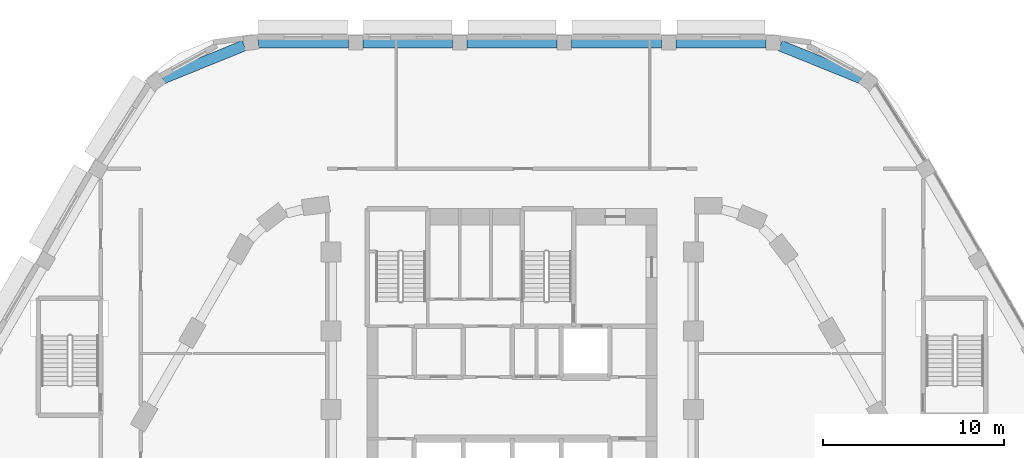
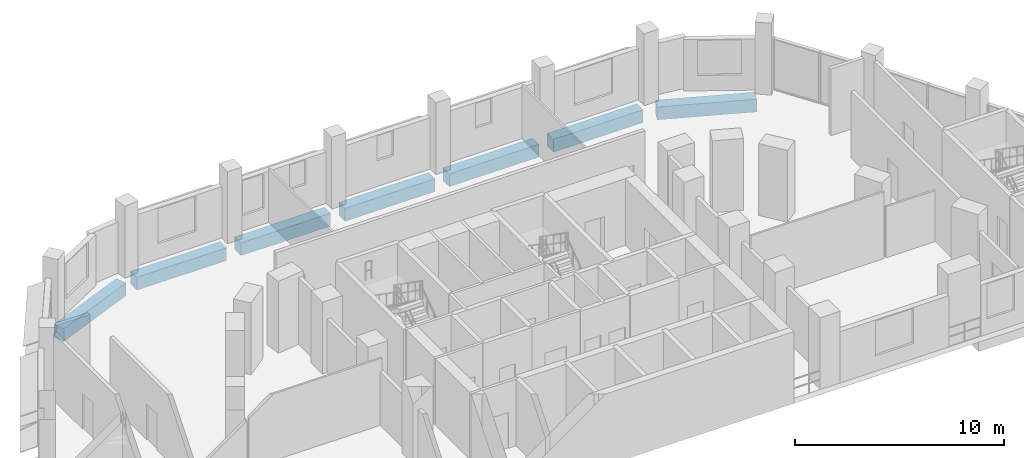
# One storey, part 6 of 47: 7 beams.
"""IFC4 building model written with IfcOpenShell, lengths in metres."""

import ifcopenshell
import ifcopenshell.guid

model = None  # the IFC model being written
_history = None  # IfcOwnerHistory: only IFC2X3 demands one
_inside = {}  # id of a spatial element -> (the spatial element, [elements in it])
_under = {}  # id of a project, library or spatial element -> (it, [spatial elements below it])
_declared = {}  # id of a project -> (the project, [libraries it declares])
_typed = {}  # id of a type object -> (the type object, [elements of that type])
_made_of = {}  # id of a material, layer set ... -> (it, [elements and type objects made of it])


def new_model(schema):
    """Start an empty IFC model of exactly this schema.

    Asked for "IFC4X3", IfcOpenShell would pick the latest addendum, in which some entities
    have other attributes; the version numbers below select the first issue.
    IFC2X3 requires an IfcOwnerHistory on every rooted entity: one is made here for all.
    """
    global model, _history
    if schema == "IFC4X3":
        model = ifcopenshell.file(schema_version=(4, 3, 0, 0))
    else:
        model = ifcopenshell.file(schema=schema)
    _inside.clear()
    _under.clear()
    _declared.clear()
    _typed.clear()
    _made_of.clear()
    _history = None
    if model.schema == "IFC2X3":
        org = make("IfcOrganization", Name="unknown")
        user = make(
            "IfcPersonAndOrganization",
            ThePerson=make("IfcPerson", FamilyName="unknown"),
            TheOrganization=org,
        )
        app = make(
            "IfcApplication",
            ApplicationDeveloper=org,
            Version="unknown",
            ApplicationFullName="unknown",
            ApplicationIdentifier="unknown",
        )
        _history = make(
            "IfcOwnerHistory",
            OwningUser=user,
            OwningApplication=app,
            ChangeAction="ADDED",
            CreationDate=0,
        )
    return model


def make(cls, **values):
    """One entity of the class cls with the attributes given. An attribute that is None is left unset."""
    return model.create_entity(
        cls, **{name: value for name, value in values.items() if value is not None}
    )


def rooted(cls, **values):
    """An entity with a GlobalId (a new one), such as an element, a storey or a relation."""
    return make(cls, GlobalId=ifcopenshell.guid.new(), OwnerHistory=_history, **values)


def si_unit(unit_type, name, prefix=None):
    """IfcSIUnit, for example si_unit("LENGTHUNIT", "METRE", prefix="MILLI")."""
    return make("IfcSIUnit", UnitType=unit_type, Prefix=prefix, Name=name)


def assignment(units):
    """IfcUnitAssignment: the units of a project."""
    return None if units is None else make("IfcUnitAssignment", Units=units)


def point(xyz):
    """IfcCartesianPoint."""
    return None if xyz is None else make("IfcCartesianPoint", Coordinates=xyz)


def direction(xyz):
    """IfcDirection."""
    return None if xyz is None else make("IfcDirection", DirectionRatios=xyz)


def frame(location, z_axis=None, x_axis=None):
    """IfcAxis2Placement3D, a coordinate frame: its origin and axes. An axis left out is left unset."""
    return make(
        "IfcAxis2Placement3D",
        Location=point(location),
        Axis=direction(z_axis),
        RefDirection=direction(x_axis),
    )


def frame_2d(location, x_axis=None):
    """IfcAxis2Placement2D, a coordinate frame in the plane: its origin and x axis."""
    return make(
        "IfcAxis2Placement2D", Location=point(location), RefDirection=direction(x_axis)
    )


def origin():
    """The frame at (0, 0, 0) with its axes left unset."""
    return frame((0.0, 0.0, 0.0))


def origin_2d():
    """The frame at (0, 0) in the plane with its x axis left unset."""
    return frame_2d((0.0, 0.0))


def place(relative_to, where):
    """IfcLocalPlacement: puts the frame where relative to a parent placement (None: the world)."""
    return make(
        "IfcLocalPlacement", PlacementRelTo=relative_to, RelativePlacement=where
    )


def context(
    kind, dimensions, precision=None, world=None, true_north=None, identifier=None
):
    """IfcGeometricRepresentationContext, for example the 3D "Model" context."""
    return make(
        "IfcGeometricRepresentationContext",
        ContextIdentifier=identifier,
        ContextType=kind,
        CoordinateSpaceDimension=dimensions,
        Precision=precision,
        WorldCoordinateSystem=world,
        TrueNorth=true_north,
    )


def subcontext(parent, identifier, kind, view, scale=None):
    """IfcGeometricRepresentationSubContext, for example "Body" below "Model"."""
    return make(
        "IfcGeometricRepresentationSubContext",
        ContextIdentifier=identifier,
        ContextType=kind,
        ParentContext=parent,
        TargetScale=scale,
        TargetView=view,
    )


def project(units=None, contexts=None):
    """IfcProject with its units and contexts."""
    return rooted(
        "IfcProject",
        Name="project",
        RepresentationContexts=contexts,
        UnitsInContext=assignment(units),
    )


def spatial(cls, under=None, at=None, **own):
    """A site, building, storey or space (cls), placed at a placement, below another one or the project."""
    s = rooted(cls, ObjectPlacement=at, **own)
    if under is not None:
        _under.setdefault(under.id(), (under, []))[1].append(s)
    return s


def profile(cls, at=None, kind="AREA", **sizes):
    """A parametric profile (cls). Its sizes go by their IFC names, for example OverallWidth=200.0."""
    return make(cls, ProfileType=kind, Position=at, **sizes)


def rectangle(**sizes):
    """IfcRectangleProfileDef."""
    return profile("IfcRectangleProfileDef", **sizes)


def extrude(swept, where, along, depth):
    """IfcExtrudedAreaSolid: the profile swept, set in the frame where, extruded along a direction by depth."""
    return make(
        "IfcExtrudedAreaSolid",
        SweptArea=swept,
        Position=where,
        ExtrudedDirection=direction(along),
        Depth=depth,
    )


def shape(context_of_items, identifier, shape_type, items):
    """IfcShapeRepresentation: the items that make up one representation, for example the "Body"."""
    return make(
        "IfcShapeRepresentation",
        ContextOfItems=context_of_items,
        RepresentationIdentifier=identifier,
        RepresentationType=shape_type,
        Items=items,
    )


def material(Name=None, Category=None):
    """IfcMaterial."""
    return make("IfcMaterial", Name=Name, Category=Category)


def material_profile(
    of_material, cross_section, Name=None, Category=None, Priority=None
):
    """IfcMaterialProfile: a cross section and its material."""
    return make(
        "IfcMaterialProfile",
        Name=Name,
        Material=of_material,
        Profile=cross_section,
        Priority=Priority,
        Category=Category,
    )


def profile_set(profiles, Name=None, composite=None):
    """IfcMaterialProfileSet."""
    return make(
        "IfcMaterialProfileSet",
        Name=Name,
        MaterialProfiles=profiles,
        CompositeProfile=composite,
    )


def made_of(thing, what):
    """Note that an element or type object is made of a material, layer set ...; save() writes the relation."""
    if what is not None:
        _made_of.setdefault(what.id(), (what, []))[1].append(thing)
    return thing


def type_object(cls, material=None, **own):
    """A type object (cls), such as IfcWallType, which elements share."""
    return made_of(rooted(cls, **own), material)


def element(
    cls,
    number,
    at=None,
    inside=None,
    cuts=None,
    type_object=None,
    material=None,
    context=None,
    identifier="Body",
    shape_type=None,
    held_by="IfcProductDefinitionShape",
    body=None,
    shapes=None,
    **own,
):
    """One element of the class cls, such as IfcWall. Its Tag is "e" and its number.

    at: its placement. inside: the storey or other place that contains it. cuts: it is an
    opening in that element (IfcRelVoidsElement). A single representation is given by context,
    identifier, shape_type and body (its items); several are given by shapes. held_by: the class
    of the entity that holds the representations. save() writes the other relations.
    """
    e = rooted(cls, Tag="e%d" % number, ObjectPlacement=at, **own)
    if body is not None:
        shapes = [shape(context, identifier, shape_type, body)]
    if shapes is not None:
        e.Representation = make(held_by, Representations=shapes)
    if inside is not None:
        _inside.setdefault(inside.id(), (inside, []))[1].append(e)
    if cuts is not None:
        rooted(
            "IfcRelVoidsElement", RelatingBuildingElement=cuts, RelatedOpeningElement=e
        )
    if type_object is not None:
        _typed.setdefault(type_object.id(), (type_object, []))[1].append(e)
    return made_of(e, material)


def aggregate(whole, parts):
    """IfcRelAggregates: a whole, such as a stair, and the parts it consists of."""
    return rooted("IfcRelAggregates", RelatingObject=whole, RelatedObjects=parts)


def save(model, path):
    """Write the relations noted so far, then the file.

    IfcRelAggregates (storeys below a building ...), IfcRelContainedInSpatialStructure (elements
    in a storey), IfcRelDefinesByType, IfcRelAssociatesMaterial and IfcRelDeclares: one each for
    every whole, place, type object, material and project.
    """
    for whole, parts in _under.values():
        aggregate(whole, parts)
    for where, things in _inside.values():
        rooted(
            "IfcRelContainedInSpatialStructure",
            RelatedElements=things,
            RelatingStructure=where,
        )
    for kind, things in _typed.values():
        rooted("IfcRelDefinesByType", RelatedObjects=things, RelatingType=kind)
    for what, things in _made_of.values():
        rooted("IfcRelAssociatesMaterial", RelatedObjects=things, RelatingMaterial=what)
    for by, libraries in _declared.values():
        rooted("IfcRelDeclares", RelatingContext=by, RelatedDefinitions=libraries)
    model.write(path)


model = new_model("IFC4")

# Units and contexts
model_context = context("Model", 3, precision=1e-05, world=origin(), true_north=direction((0.0, 1.0)))
body_context = subcontext(model_context, "Body", "Model", "MODEL_VIEW")
ifc_project = project(units=[si_unit("LENGTHUNIT", "METRE"), si_unit("AREAUNIT", "SQUARE_METRE"), si_unit("VOLUMEUNIT", "CUBIC_METRE"), si_unit("PLANEANGLEUNIT", "RADIAN"), si_unit("MASSUNIT", "GRAM", prefix="KILO")], contexts=[model_context])

# Site, building, storey
site_placement = place(None, origin())
site = spatial("IfcSite", under=ifc_project, at=site_placement, CompositionType="ELEMENT")
building_placement = place(site_placement, origin())
building = spatial("IfcBuilding", under=site, at=building_placement, Name="Nakaniwa Court", CompositionType="ELEMENT")
storey_placement = place(building_placement, frame((0.0, 0.0, 15.60009765625)))
storey = spatial("IfcBuildingStorey", under=building, at=storey_placement, Name="L03", CompositionType="ELEMENT", Elevation=15.60009765625)

# Beams
ifc_material = material(Name="Concrete C100/115", Category="concrete")
ifc_material_profile = material_profile(ifc_material, rectangle(XDim=0.60009765625, YDim=0.75, at=origin_2d()), Name="Concrete C100/115 RC 600x750 ring beam")
ifc_profile_set = profile_set([ifc_material_profile], Name="Concrete C100/115")
beam_type = type_object("IfcBeamType", Name="Concrete C100/115 RC 600x750 ring beam", PredefinedType="BEAM", material=ifc_profile_set)
beam_1_placement = place(storey_placement, frame((65.212646484375, 112.39453125, -0.675048828125), z_axis=(-0.926515861433, -0.376255708945, 0.0), x_axis=(0.376255708945, -0.926515861433, 0.0)))
element("IfcBeam", 1, at=beam_1_placement, inside=storey, type_object=beam_type, Name="RING BEAM", PredefinedType="BEAM", context=body_context, shape_type="SweptSolid", body=[
    extrude(rectangle(XDim=0.60009765625, YDim=0.75, at=origin_2d()), origin(), (0.0, 0.0, 1.0), 4.857421875),
])
beam_2_placement = place(storey_placement, frame((99.276123046875, 110.575439453125, -0.675048828125), z_axis=(-0.926771165267, 0.375626419771, 0.0), x_axis=(-0.375626419771, -0.926771165267, 0.0)))
element("IfcBeam", 2, at=beam_2_placement, inside=storey, type_object=beam_type, Name="RING BEAM", PredefinedType="BEAM", context=body_context, shape_type="SweptSolid", body=[
    extrude(rectangle(XDim=0.60009765625, YDim=0.75, at=origin_2d()), origin(), (0.0, 0.0, 1.0), 4.8251953125),
])
beam_3_placement = place(storey_placement, frame((94.00439453125, 112.550048828125, -0.675048828125), z_axis=(-1.0, 0.0, 0.0), x_axis=(0.0, -1.0, 0.0)))
element("IfcBeam", 3, at=beam_3_placement, inside=storey, type_object=beam_type, Name="RING BEAM", PredefinedType="BEAM", context=body_context, shape_type="SweptSolid", body=[
    extrude(rectangle(XDim=0.60009765625, YDim=0.75, at=origin_2d()), origin(), (0.0, 0.0, 1.0), 4.9619140625),
])
beam_4_placement = place(storey_placement, frame((88.24267578125, 112.550048828125, -0.675048828125), z_axis=(-1.0, 0.0, 0.0), x_axis=(0.0, -1.0, 0.0)))
element("IfcBeam", 4, at=beam_4_placement, inside=storey, type_object=beam_type, Name="RING BEAM", PredefinedType="BEAM", context=body_context, shape_type="SweptSolid", body=[
    extrude(rectangle(XDim=0.60009765625, YDim=0.75, at=origin_2d()), origin(), (0.0, 0.0, 1.0), 4.961669921875),
])
beam_5_placement = place(storey_placement, frame((82.48095703125, 112.550048828125, -0.675048828125), z_axis=(-1.0, 0.0, 0.0), x_axis=(0.0, -1.0, 0.0)))
element("IfcBeam", 5, at=beam_5_placement, inside=storey, type_object=beam_type, Name="RING BEAM", PredefinedType="BEAM", context=body_context, shape_type="SweptSolid", body=[
    extrude(rectangle(XDim=0.60009765625, YDim=0.75, at=origin_2d()), origin(), (0.0, 0.0, 1.0), 4.9619140625),
])
beam_6_placement = place(storey_placement, frame((76.718994140625, 112.550048828125, -0.675048828125), z_axis=(-1.0, 0.0, 0.0), x_axis=(0.0, -1.0, 0.0)))
element("IfcBeam", 6, at=beam_6_placement, inside=storey, type_object=beam_type, Name="RING BEAM", PredefinedType="BEAM", context=body_context, shape_type="SweptSolid", body=[
    extrude(rectangle(XDim=0.60009765625, YDim=0.75, at=origin_2d()), origin(), (0.0, 0.0, 1.0), 4.961669921875),
])
beam_7_placement = place(storey_placement, frame((70.95751953125, 112.550048828125, -0.675048828125), z_axis=(-1.0, 0.0, 0.0), x_axis=(0.0, -1.0, 0.0)))
element("IfcBeam", 7, at=beam_7_placement, inside=storey, type_object=beam_type, Name="RING BEAM", PredefinedType="BEAM", context=body_context, shape_type="SweptSolid", body=[
    extrude(rectangle(XDim=0.60009765625, YDim=0.75, at=origin_2d()), origin(), (0.0, 0.0, 1.0), 4.958251953125),
])

save(model, "model.ifc")
